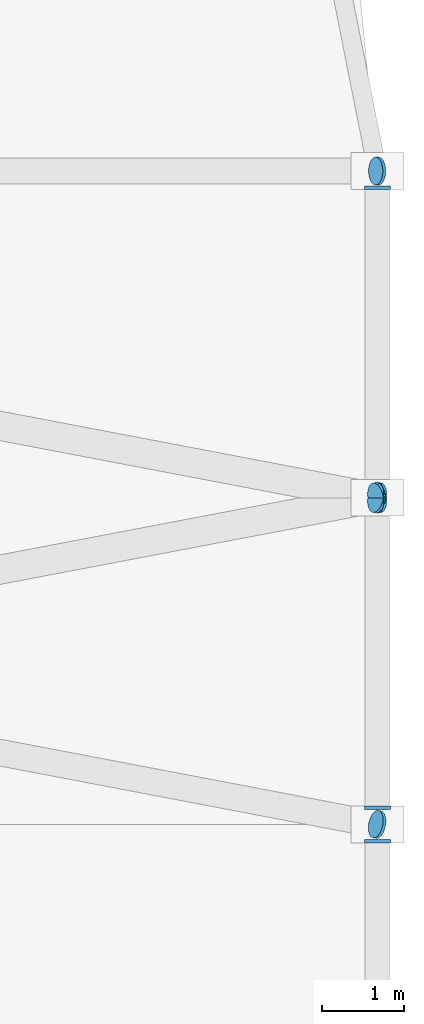
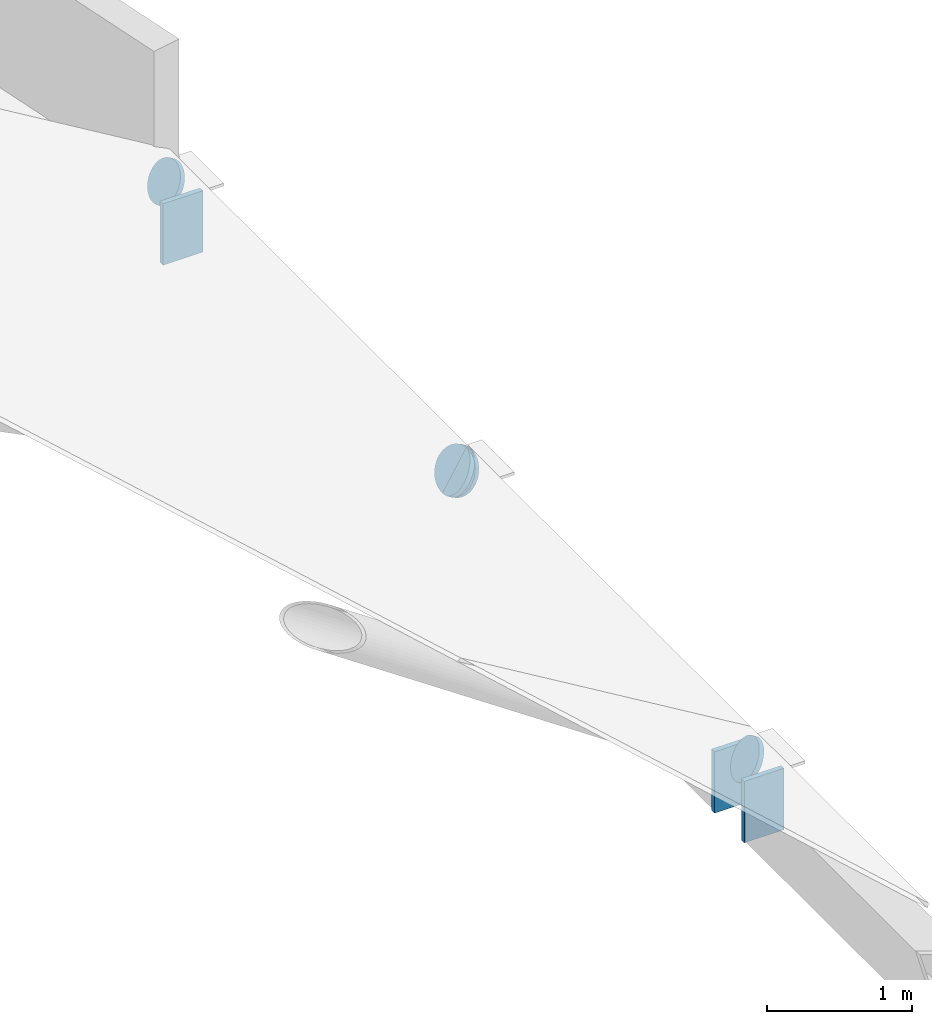
# One storey, part 38 of 44: 7 discrete accessories.
"""IFC4 building model written with IfcOpenShell, lengths in metres."""

from ifc_helpers import new_model, si_unit, direction, frame, origin, origin_2d, place, context, subcontext, project, spatial, rectangle, circle, extrude, material, element, save


model = new_model("IFC4")

# Units and contexts
model_context = context("Model", 3, precision=1e-05, world=origin(), true_north=direction((0.0, 1.0)))
body_context = subcontext(model_context, "Body", "Model", "MODEL_VIEW")
ifc_project = project(units=[si_unit("LENGTHUNIT", "METRE"), si_unit("AREAUNIT", "SQUARE_METRE"), si_unit("VOLUMEUNIT", "CUBIC_METRE"), si_unit("PLANEANGLEUNIT", "RADIAN"), si_unit("MASSUNIT", "GRAM", prefix="KILO")], contexts=[model_context])

# Site, building, storey
site_placement = place(None, origin())
site = spatial("IfcSite", under=ifc_project, at=site_placement, CompositionType="ELEMENT")
building_placement = place(site_placement, origin())
building = spatial("IfcBuilding", under=site, at=building_placement, Name="Marlcrest Central Station", CompositionType="ELEMENT")
storey_placement = place(building_placement, frame((0.0, 0.0, 19.5)))
storey = spatial("IfcBuildingStorey", under=building, at=storey_placement, Name="L04", CompositionType="ELEMENT", Elevation=19.5)

# Discrete accessories
ifc_material = material(Name="Steel S355", Category="steel")
for number, where, z_axis, x_axis, name in (
    (1, (129.0, 102.275146484375, -0.25), (0.0, 1.0, 0.0), (-1.0, 0.0, 0.0), "endcap-bm-SP-03-L04-01304-e"),
    (2, (129.0, 102.68505859375, -0.25), (0.0, 1.0, 0.0), (-1.0, 0.0, 0.0), "endcap-bm-SP-03-L04-01314-s"),
    (3, (129.0, 110.275146484375, -0.25), (0.0, 1.0, 0.0), (-1.0, 0.0, 0.0), "endcap-bm-SP-03-L04-01314-e"),
):
    element("IfcDiscreteAccessory", number, at=place(storey_placement, frame(where, z_axis=z_axis, x_axis=x_axis)), inside=storey, material=ifc_material, Name=name, ObjectType="END_CAP_PLATE", PredefinedType="BRACKET", context=body_context, shape_type="SweptSolid", body=[
        extrude(rectangle(XDim=0.31591796875, YDim=0.51611328125, at=origin_2d()), origin(), (0.0, 0.0, 1.0), 0.0400390625),
    ])
for number, where, z_axis, x_axis, name in (
    (4, (128.978759765625, 106.495849609375, 0.0126953125), (0.846277296716, 0.161195675565, -0.507770313471), (-0.18711210789, 0.982338566422, 0.0), "endcap-mem-FB-01-L04-02541-e"),
    (5, (128.978759765625, 106.504150390625, 0.0126953125), (0.846277296716, -0.161195675565, -0.507770313471), (0.18711210789, 0.982338566422, 0.0), "endcap-mem-FB-01-L04-02542-e"),
):
    element("IfcDiscreteAccessory", number, at=place(storey_placement, frame(where, z_axis=z_axis, x_axis=x_axis)), inside=storey, material=ifc_material, Name=name, ObjectType="END_CAP_PLATE", PredefinedType="BRACKET", context=body_context, shape_type="SweptSolid", body=[
        extrude(circle(Radius=0.185791015625, at=origin_2d()), origin(), (0.0, 0.0, 1.0), 0.0400390625),
    ])
for number, where, z_axis, x_axis, name in (
    (6, (128.978759765625, 102.504150390625, 0.0126953125), (0.846277296716, -0.161195675565, -0.507770313471), (0.18711210789, 0.982338566422, 0.0), "endcap-mem-FB-02-L04-02543-e"),
    (7, (128.978515625, 110.5, 0.012939453125), (0.857491166477, 0.0, -0.514498687475), (0.0, 1.0, 0.0), "endcap-mem-FB-02-L04-02546-e"),
):
    element("IfcDiscreteAccessory", number, at=place(storey_placement, frame(where, z_axis=z_axis, x_axis=x_axis)), inside=storey, material=ifc_material, Name=name, ObjectType="END_CAP_PLATE", PredefinedType="BRACKET", context=body_context, shape_type="SweptSolid", body=[
        extrude(circle(Radius=0.169921875, at=origin_2d()), origin(), (0.0, 0.0, 1.0), 0.0400390625),
    ])

save(model, "model.ifc")
